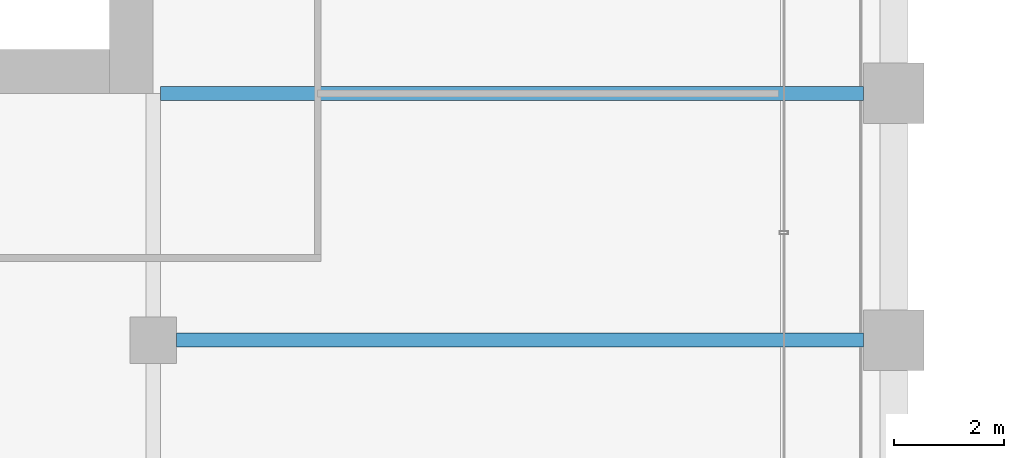
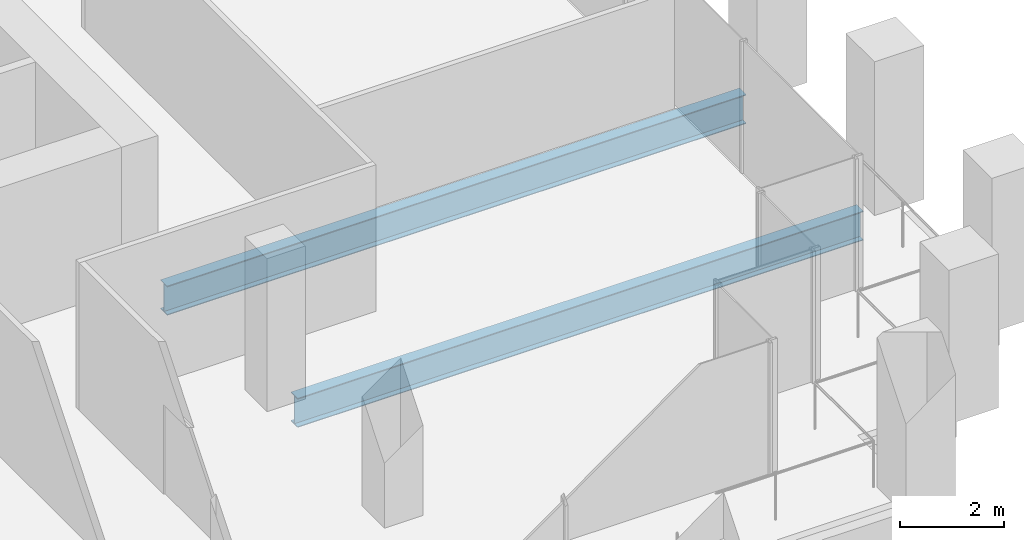
# One storey, part 17 of 54: 2 beams.
"""IFC4 building model written with IfcOpenShell, lengths in metres."""

from ifc_helpers import new_model, si_unit, direction, frame, origin, origin_2d, place, context, subcontext, project, spatial, i_section, extrude, material, material_profile, profile_set, type_object, element, save


model = new_model("IFC4")

# Units and contexts
model_context = context("Model", 3, precision=1e-05, world=origin(), true_north=direction((0.0, 1.0)))
body_context = subcontext(model_context, "Body", "Model", "MODEL_VIEW")
ifc_project = project(units=[si_unit("LENGTHUNIT", "METRE"), si_unit("AREAUNIT", "SQUARE_METRE"), si_unit("VOLUMEUNIT", "CUBIC_METRE"), si_unit("PLANEANGLEUNIT", "RADIAN"), si_unit("MASSUNIT", "GRAM", prefix="KILO")], contexts=[model_context])

# Site, building, storey
site_placement = place(None, origin())
site = spatial("IfcSite", under=ifc_project, at=site_placement, CompositionType="ELEMENT")
building_placement = place(site_placement, origin())
building = spatial("IfcBuilding", under=site, at=building_placement, Name="Altepetl Exchange Towers", CompositionType="ELEMENT")
storey_placement = place(building_placement, frame((0.0, 0.0, 61.800048828125)))
storey = spatial("IfcBuildingStorey", under=building, at=storey_placement, Name="L14", CompositionType="ELEMENT", Elevation=61.800048828125)

# Beams
ifc_material = material(Name="Steel S355", Category="steel")
ifc_material_profile = material_profile(ifc_material, i_section(OverallWidth=0.25390625, OverallDepth=0.68408203125, WebThickness=0.012451171875, FlangeThickness=0.018798828125, at=origin_2d()), Name="W27X94")
ifc_profile_set = profile_set([ifc_material_profile], Name="Steel S355")
beam_type = type_object("IfcBeamType", Name="Floor beam W27X94", PredefinedType="BEAM", material=ifc_profile_set)
beam_1_placement = place(storey_placement, frame((58.925048828125, 36.0, -0.491943359375), z_axis=(1.0, 0.0, 0.0), x_axis=(0.0, 1.0, 0.0)))
element("IfcBeam", 1, at=beam_1_placement, inside=storey, type_object=beam_type, Name="bm:A:L14:007", PredefinedType="BEAM", context=body_context, shape_type="SweptSolid", body=[
    extrude(i_section(OverallWidth=0.25390625, OverallDepth=0.68408203125, WebThickness=0.012451171875, FlangeThickness=0.018798828125, at=origin_2d()), origin(), (0.0, 0.0, 1.0), 12.52490234375),
])
beam_2_placement = place(storey_placement, frame((58.634033203125, 40.5, -0.491943359375), z_axis=(1.0, 0.0, 0.0), x_axis=(0.0, 1.0, 0.0)))
element("IfcBeam", 2, at=beam_2_placement, inside=storey, type_object=beam_type, Name="bm:A:L14:008", PredefinedType="BEAM", context=body_context, shape_type="SweptSolid", body=[
    extrude(i_section(OverallWidth=0.25390625, OverallDepth=0.68408203125, WebThickness=0.012451171875, FlangeThickness=0.018798828125, at=origin_2d()), origin(), (0.0, 0.0, 1.0), 12.81591796875),
])

save(model, "model.ifc")
